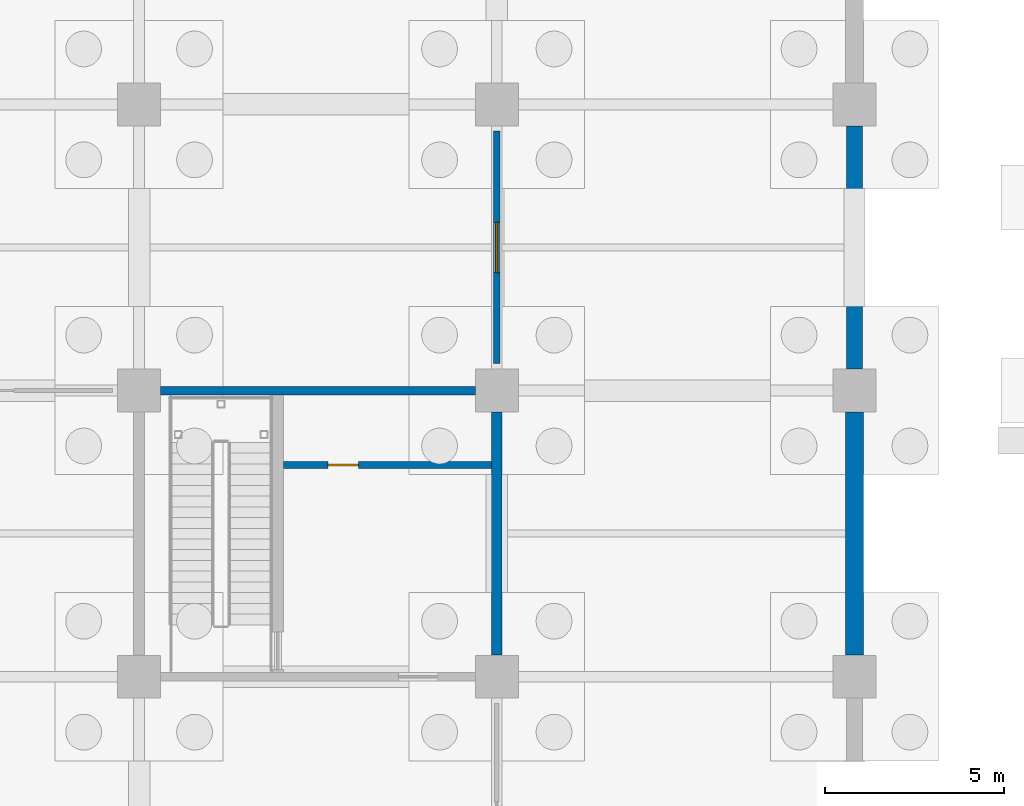
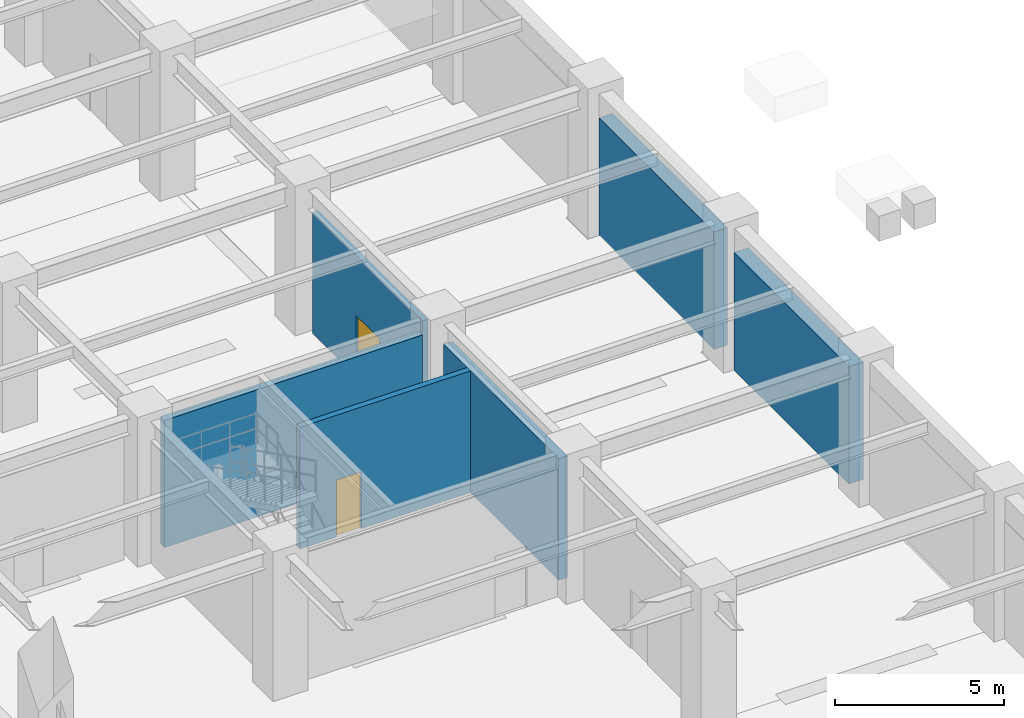
# One storey, part 78 of 97: 6 walls, 2 doors, 2 openings.
"""IFC4 building model written with IfcOpenShell, lengths in metres."""

from ifc_helpers import new_model, si_unit, direction, frame, frame_2d, origin, place, context, subcontext, project, spatial, rectangle, extrude, material, layer, layer_set, type_object, element, fill, save


model = new_model("IFC4")

# Units and contexts
model_context = context("Model", 3, precision=1e-05, world=origin(), true_north=direction((0.0, 1.0)))
body_context = subcontext(model_context, "Body", "Model", "MODEL_VIEW")
ifc_project = project(units=[si_unit("LENGTHUNIT", "METRE"), si_unit("AREAUNIT", "SQUARE_METRE"), si_unit("VOLUMEUNIT", "CUBIC_METRE"), si_unit("PLANEANGLEUNIT", "RADIAN"), si_unit("MASSUNIT", "GRAM", prefix="KILO")], contexts=[model_context])

# Site, building, storey
site_placement = place(None, origin())
site = spatial("IfcSite", under=ifc_project, at=site_placement, CompositionType="ELEMENT")
building_placement = place(site_placement, origin())
building = spatial("IfcBuilding", under=site, at=building_placement, Name="Haebicheon Civic Stadium", CompositionType="ELEMENT")
storey_placement = place(building_placement, frame((0.0, 0.0, -5.39990234375)))
storey = spatial("IfcBuildingStorey", under=building, at=storey_placement, Name="B1", CompositionType="ELEMENT", Elevation=-5.39990234375)

# Walls
ifc_material_1 = material(Name="Concrete C40/50", Category="concrete")
ifc_layer_1 = layer(ifc_material_1, 0.239990234375, Name="Concrete C40/50")
ifc_layer_set_1 = layer_set([ifc_layer_1], Name="Concrete C40/50")
wall_type_1 = type_object("IfcWallType", Name="CW-SHR-240", PredefinedType="SHEAR", material=ifc_layer_set_1)
wall_1_placement = place(storey_placement, frame((216.60009765625, 112.0, 0.0), z_axis=(0.0, 0.0, 1.0), x_axis=(1.0, 0.0, 0.0)))
element("IfcWall", 1, at=wall_1_placement, inside=storey, type_object=wall_type_1, material=ifc_layer_set_1, Name="KC-13 B1 north core shear wall", PredefinedType="SHEAR", context=body_context, shape_type="SweptSolid", body=[
    extrude(rectangle(XDim=8.7998046875, YDim=0.239990234375, at=frame_2d((4.39990234375, 0.0))), origin(), (0.0, 0.0, 1.0), 4.58984375),
])
ifc_material_2 = material(Name="Concrete C40/50", Category="concrete")
ifc_layer_2 = layer(ifc_material_2, 0.300048828125, Name="Concrete C40/50")
ifc_layer_set_2 = layer_set([ifc_layer_2], Name="Concrete C40/50")
wall_type_2 = type_object("IfcWallType", Name="CW-SHR-300", PredefinedType="SHEAR", material=ifc_layer_set_2)
wall_2_placement = place(storey_placement, frame((226.0, 104.60009765625, 0.0), z_axis=(0.0, 0.0, 1.0), x_axis=(0.0, 1.0, 0.0)))
element("IfcWall", 2, at=wall_2_placement, inside=storey, type_object=wall_type_2, material=ifc_layer_set_2, Name="KC-13 B1 east core shear wall", PredefinedType="SHEAR", context=body_context, shape_type="SweptSolid", body=[
    extrude(rectangle(XDim=6.7998046875, YDim=0.300048828125, at=frame_2d((3.39990234375, 0.0))), origin(), (0.0, 0.0, 1.0), 4.389892578125),
])
ifc_material_3 = material(Name="Concrete C40/50", Category="concrete")
ifc_layer_3 = layer(ifc_material_3, 0.4599609375, Name="Concrete C40/50")
ifc_layer_set_3 = layer_set([ifc_layer_3], Name="Concrete C40/50")
wall_type_3 = type_object("IfcWallType", Name="EW-RET-460", PredefinedType="STANDARD", material=ifc_layer_set_3)
wall_3_placement = place(storey_placement, frame((236.0, 112.60009765625, 0.0), z_axis=(0.0, 0.0, 1.0), x_axis=(0.0, 1.0, 0.0)))
element("IfcWall", 3, at=wall_3_placement, inside=storey, type_object=wall_type_3, material=ifc_layer_set_3, Name="B1 retaining wall 29-14-E", PredefinedType="STANDARD", context=body_context, shape_type="SweptSolid", body=[
    extrude(rectangle(XDim=6.7998046875, YDim=0.4599609375, at=frame_2d((3.39990234375, 0.0))), origin(), (0.0, 0.0, 1.0), 4.239990234375),
])
ifc_material_4 = material(Name="Concrete C40/50", Category="concrete")
ifc_layer_4 = layer(ifc_material_4, 0.5, Name="Concrete C40/50")
ifc_layer_set_4 = layer_set([ifc_layer_4], Name="Concrete C40/50")
wall_type_4 = type_object("IfcWallType", Name="EW-RET-500", PredefinedType="STANDARD", material=ifc_layer_set_4)
wall_4_placement = place(storey_placement, frame((236.0, 104.60009765625, 0.0), z_axis=(0.0, 0.0, 1.0), x_axis=(0.0, 1.0, 0.0)))
element("IfcWall", 4, at=wall_4_placement, inside=storey, type_object=wall_type_4, material=ifc_layer_set_4, Name="B1 retaining wall 29-13-E", PredefinedType="STANDARD", context=body_context, shape_type="SweptSolid", body=[
    extrude(rectangle(XDim=6.7998046875, YDim=0.5, at=frame_2d((3.39990234375, 0.0))), origin(), (0.0, 0.0, 1.0), 4.239990234375),
])

# Wall, opening, door
ifc_material_5 = material(Name="Concrete C35/45", Category="concrete")
ifc_layer_5 = layer(ifc_material_5, 0.199951171875, Name="Concrete C35/45")
ifc_layer_set_5 = layer_set([ifc_layer_5], Name="Concrete C35/45")
wall_type_5 = type_object("IfcWallType", Name="IW-FIR-200", PredefinedType="PARTITIONING", material=ifc_layer_set_5)
wall_5_placement = place(storey_placement, frame((220.030029296875, 109.919921875, 0.0), z_axis=(0.0, 0.0, 1.0), x_axis=(1.0, 0.0, 0.0)))
wall_5 = element("IfcWall", 5, at=wall_5_placement, inside=storey, type_object=wall_type_5, material=ifc_layer_set_5, Name="KC-13 B1 service riser wall", PredefinedType="PARTITIONING", context=body_context, shape_type="SweptSolid", body=[
    extrude(rectangle(XDim=5.820068359375, YDim=0.199951171875, at=frame_2d((2.91015625, 0.0))), origin(), (0.0, 0.0, 1.0), 4.389892578125),
])
opening_1_placement = place(wall_5_placement, frame((1.25, 0.0, 0.0)))
opening_1 = element("IfcOpeningElement", 6, at=opening_1_placement, cuts=wall_5, Name="Opening D-B1-KC-13-RSR", PredefinedType="OPENING", context=body_context, shape_type="SweptSolid", body=[
    extrude(rectangle(XDim=0.85009765625, YDim=2.050048828125, at=frame_2d((0.425048828125, 1.02490234375))), frame((0.0, 0.10986328125, 0.0), z_axis=(0.0, -1.0, 0.0), x_axis=(1.0, 0.0, 0.0)), (0.0, 0.0, 1.0), 0.219970703125),
])
ifc_material_6 = material(Name="Galvanised painted steel SM355", Category="steel")
door_type_1 = type_object("IfcDoorType", Name="ID-RSR-0850", OperationType="NOTDEFINED", PredefinedType="TRAPDOOR", material=ifc_material_6)
door_1_placement = place(opening_1_placement, origin())
door_1 = element("IfcDoor", 7, at=door_1_placement, inside=storey, type_object=door_type_1, material=ifc_material_6, Name="B1 KC-13 riser access door", OperationType="SINGLE_SWING_LEFT", OverallHeight=2.050048828125, OverallWidth=0.85009765625, PredefinedType="TRAPDOOR", context=body_context, shape_type="SweptSolid", body=[
    extrude(rectangle(XDim=0.85009765625, YDim=2.050048828125, at=frame_2d((0.425048828125, 1.02490234375))), frame((0.0, 0.02490234375, 0.0), z_axis=(0.0, -1.0, 0.0), x_axis=(1.0, 0.0, 0.0)), (0.0, 0.0, 1.0), 0.050048828125),
])
fill(opening_1, door_1)

ifc_material_7 = material(Name="Concrete C35/45", Category="concrete")
ifc_layer_6 = layer(ifc_material_7, 0.179931640625, Name="Concrete C35/45")
ifc_layer_set_6 = layer_set([ifc_layer_6], Name="Concrete C35/45")
wall_type_6 = type_object("IfcWallType", Name="IW-PRT-180", PredefinedType="PARTITIONING", material=ifc_layer_set_6)
wall_6_placement = place(storey_placement, frame((226.0, 112.75, 0.0), z_axis=(0.0, 0.0, 1.0), x_axis=(0.0, 1.0, 0.0)))
wall_6 = element("IfcWall", 8, at=wall_6_placement, inside=storey, type_object=wall_type_6, material=ifc_layer_set_6, Name="B1 District Heating Exchange Plant partition wall", PredefinedType="PARTITIONING", context=body_context, shape_type="SweptSolid", body=[
    extrude(rectangle(XDim=6.5, YDim=0.179931640625, at=frame_2d((3.25, 0.0))), origin(), (0.0, 0.0, 1.0), 4.389892578125),
])
opening_2_placement = place(wall_6_placement, frame((2.550048828125, 0.0, 0.0)))
opening_2 = element("IfcOpeningElement", 9, at=opening_2_placement, cuts=wall_6, Name="Opening D-B1-067", PredefinedType="OPENING", context=body_context, shape_type="SweptSolid", body=[
    extrude(rectangle(XDim=1.39990234375, YDim=2.199951171875, at=frame_2d((0.699951171875, 1.10009765625))), frame((0.0, 0.099853515625, 0.0), z_axis=(0.0, -1.0, 0.0), x_axis=(1.0, 0.0, 0.0)), (0.0, 0.0, 1.0), 0.199951171875),
])
ifc_material_8 = material(Name="Galvanised painted steel SM355", Category="steel")
door_type_2 = type_object("IfcDoorType", Name="ID-PLT-1400", OperationType="NOTDEFINED", PredefinedType="DOOR", material=ifc_material_8)
door_2_placement = place(opening_2_placement, origin())
door_2 = element("IfcDoor", 10, at=door_2_placement, inside=storey, type_object=door_type_2, material=ifc_material_8, Name="B1 District Heating Exchange Plant entrance door D-B1-067", OperationType="SINGLE_SWING_LEFT", OverallHeight=2.199951171875, OverallWidth=1.39990234375, PredefinedType="DOOR", context=body_context, shape_type="SweptSolid", body=[
    extrude(rectangle(XDim=1.39990234375, YDim=2.199951171875, at=frame_2d((0.699951171875, 1.10009765625))), frame((0.0, 0.02490234375, 0.0), z_axis=(0.0, -1.0, 0.0), x_axis=(1.0, 0.0, 0.0)), (0.0, 0.0, 1.0), 0.050048828125),
])
fill(opening_2, door_2)

save(model, "model.ifc")
